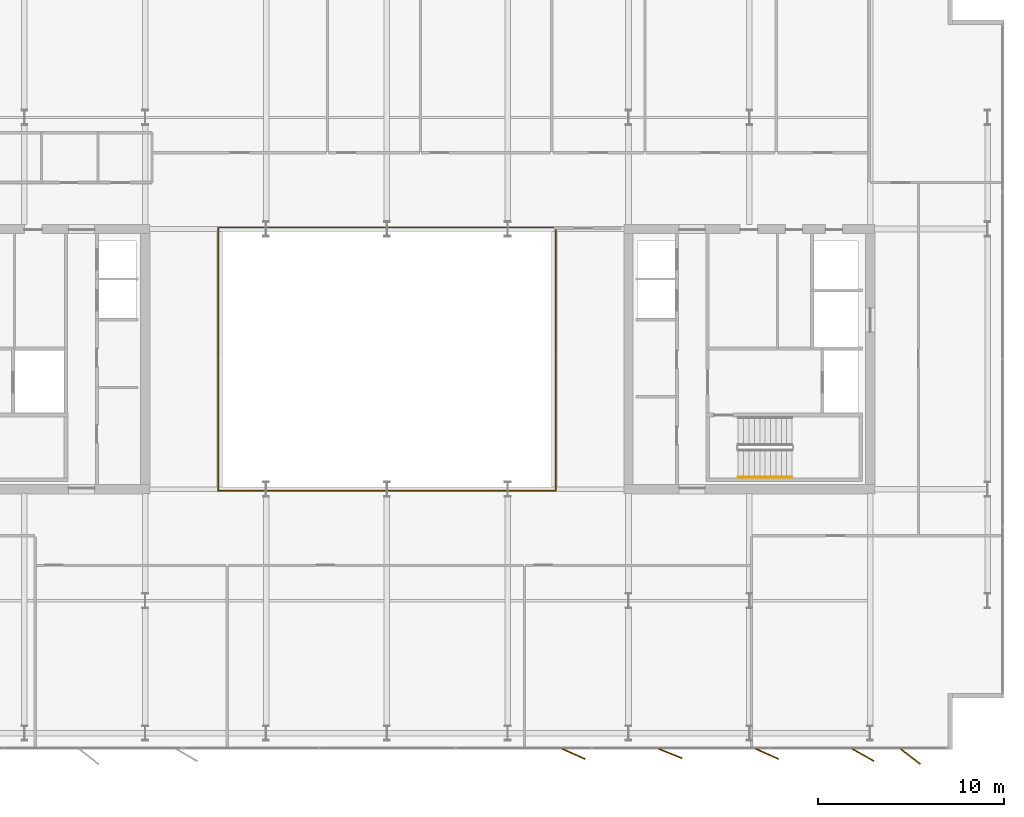
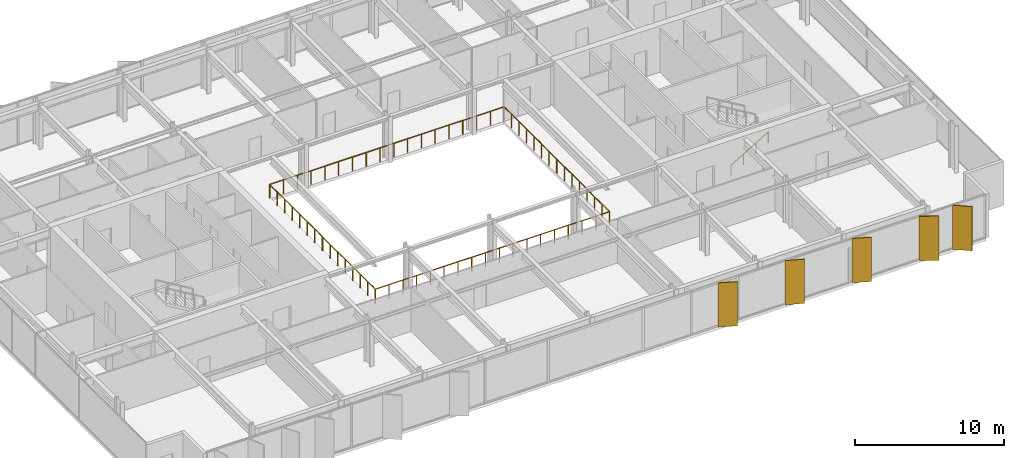
# One storey, part 21 of 23: 5 shading devices, 3 railings.
"""IFC4 building model written with IfcOpenShell, lengths in metres."""

from ifc_helpers import new_model, si_unit, direction, frame, origin, origin_2d, place, context, subcontext, project, spatial, rectangle, circle, extrude, material, layer, layer_set, type_object, element, save


model = new_model("IFC4")

# Units and contexts
model_context = context("Model", 3, precision=1e-05, world=origin(), true_north=direction((0.0, 1.0)))
body_context = subcontext(model_context, "Body", "Model", "MODEL_VIEW")
ifc_project = project(units=[si_unit("LENGTHUNIT", "METRE"), si_unit("AREAUNIT", "SQUARE_METRE"), si_unit("VOLUMEUNIT", "CUBIC_METRE"), si_unit("PLANEANGLEUNIT", "RADIAN"), si_unit("MASSUNIT", "GRAM", prefix="KILO")], contexts=[model_context])

# Site, building, storey
site_placement = place(None, origin())
site = spatial("IfcSite", under=ifc_project, at=site_placement, CompositionType="ELEMENT")
building_placement = place(site_placement, origin())
building = spatial("IfcBuilding", under=site, at=building_placement, Name="Putna Gate Headquarters", CompositionType="ELEMENT")
storey_placement = place(building_placement, frame((0.0, 0.0, 232.800048828125)))
storey = spatial("IfcBuildingStorey", under=building, at=storey_placement, Name="L58", CompositionType="ELEMENT", Elevation=232.800048828125)

# Railings
ifc_material_1 = material(Name="Anodised bronze and laminated glass atrium balustrade", Category="glass")
railing_type_1 = type_object("IfcRailingType", Name="RAIL-ATRIUM-GUARD-1150", PredefinedType="GUARDRAIL", material=ifc_material_1)
railing_1_placement = place(storey_placement, frame((29.919921875, 25.969970703125, 0.0)))
element("IfcRailing", 1, at=railing_1_placement, inside=storey, type_object=railing_type_1, Name="L58 Central Atrium Glazed Balustrade South", PredefinedType="GUARDRAIL", context=body_context, shape_type="SweptSolid", body=[
    extrude(circle(Radius=0.02392578125, at=origin_2d()), frame((0.0, 0.0, 1.1259765625), z_axis=(0.0, -1.0, 0.0), x_axis=(1.0, 0.0, 0.0)), (0.0, 0.0, 1.0), 7.050048828125),
    extrude(circle(Radius=0.02392578125, at=origin_2d()), frame((0.0, -7.050048828125, 1.1259765625), z_axis=(1.0, 0.0, 0.0), x_axis=(0.0, 1.0, 0.0)), (0.0, 0.0, 1.0), 18.16015625),
    extrude(circle(Radius=0.02392578125, at=origin_2d()), frame((18.16015625, -7.050048828125, 1.1259765625), z_axis=(0.0, 1.0, 0.0), x_axis=(-1.0, 0.0, 0.0)), (0.0, 0.0, 1.0), 7.050048828125),
    extrude(circle(Radius=0.02099609375, at=origin_2d()), origin(), (0.0, 0.0, 1.0), 1.101806640625),
    extrude(circle(Radius=0.02099609375, at=origin_2d()), frame((0.0, -1.007080078125, 0.0)), (0.0, 0.0, 1.0), 1.101806640625),
    extrude(circle(Radius=0.02099609375, at=origin_2d()), frame((0.0, -2.014404296875, 0.0)), (0.0, 0.0, 1.0), 1.101806640625),
    extrude(circle(Radius=0.02099609375, at=origin_2d()), frame((0.0, -3.021484375, 0.0)), (0.0, 0.0, 1.0), 1.101806640625),
    extrude(circle(Radius=0.02099609375, at=origin_2d()), frame((0.0, -4.028564453125, 0.0)), (0.0, 0.0, 1.0), 1.101806640625),
    extrude(circle(Radius=0.02099609375, at=origin_2d()), frame((0.0, -5.03564453125, 0.0)), (0.0, 0.0, 1.0), 1.101806640625),
    extrude(circle(Radius=0.02099609375, at=origin_2d()), frame((0.0, -6.04296875, 0.0)), (0.0, 0.0, 1.0), 1.101806640625),
    extrude(circle(Radius=0.02099609375, at=origin_2d()), frame((0.0, -7.050048828125, 0.0)), (0.0, 0.0, 1.0), 1.101806640625),
    extrude(circle(Radius=0.02099609375, at=origin_2d()), frame((1.068359375, -7.050048828125, 0.0)), (0.0, 0.0, 1.0), 1.101806640625),
    extrude(circle(Radius=0.02099609375, at=origin_2d()), frame((2.136474609375, -7.050048828125, 0.0)), (0.0, 0.0, 1.0), 1.101806640625),
    extrude(circle(Radius=0.02099609375, at=origin_2d()), frame((3.204833984375, -7.050048828125, 0.0)), (0.0, 0.0, 1.0), 1.101806640625),
    extrude(circle(Radius=0.02099609375, at=origin_2d()), frame((4.27294921875, -7.050048828125, 0.0)), (0.0, 0.0, 1.0), 1.101806640625),
    extrude(circle(Radius=0.02099609375, at=origin_2d()), frame((5.34130859375, -7.050048828125, 0.0)), (0.0, 0.0, 1.0), 1.101806640625),
    extrude(circle(Radius=0.02099609375, at=origin_2d()), frame((6.409423828125, -7.050048828125, 0.0)), (0.0, 0.0, 1.0), 1.101806640625),
    extrude(circle(Radius=0.02099609375, at=origin_2d()), frame((7.477783203125, -7.050048828125, 0.0)), (0.0, 0.0, 1.0), 1.101806640625),
    extrude(circle(Radius=0.02099609375, at=origin_2d()), frame((8.5458984375, -7.050048828125, 0.0)), (0.0, 0.0, 1.0), 1.101806640625),
    extrude(circle(Radius=0.02099609375, at=origin_2d()), frame((9.6142578125, -7.050048828125, 0.0)), (0.0, 0.0, 1.0), 1.101806640625),
    extrude(circle(Radius=0.02099609375, at=origin_2d()), frame((10.682373046875, -7.050048828125, 0.0)), (0.0, 0.0, 1.0), 1.101806640625),
    extrude(circle(Radius=0.02099609375, at=origin_2d()), frame((11.750732421875, -7.050048828125, 0.0)), (0.0, 0.0, 1.0), 1.101806640625),
    extrude(circle(Radius=0.02099609375, at=origin_2d()), frame((12.81884765625, -7.050048828125, 0.0)), (0.0, 0.0, 1.0), 1.101806640625),
    extrude(circle(Radius=0.02099609375, at=origin_2d()), frame((13.88720703125, -7.050048828125, 0.0)), (0.0, 0.0, 1.0), 1.101806640625),
    extrude(circle(Radius=0.02099609375, at=origin_2d()), frame((14.955322265625, -7.050048828125, 0.0)), (0.0, 0.0, 1.0), 1.101806640625),
    extrude(circle(Radius=0.02099609375, at=origin_2d()), frame((16.023681640625, -7.050048828125, 0.0)), (0.0, 0.0, 1.0), 1.101806640625),
    extrude(circle(Radius=0.02099609375, at=origin_2d()), frame((17.091796875, -7.050048828125, 0.0)), (0.0, 0.0, 1.0), 1.101806640625),
    extrude(circle(Radius=0.02099609375, at=origin_2d()), frame((18.16015625, -7.050048828125, 0.0)), (0.0, 0.0, 1.0), 1.101806640625),
    extrude(circle(Radius=0.02099609375, at=origin_2d()), frame((18.16015625, -6.04296875, 0.0)), (0.0, 0.0, 1.0), 1.101806640625),
    extrude(circle(Radius=0.02099609375, at=origin_2d()), frame((18.16015625, -5.03564453125, 0.0)), (0.0, 0.0, 1.0), 1.101806640625),
    extrude(circle(Radius=0.02099609375, at=origin_2d()), frame((18.16015625, -4.028564453125, 0.0)), (0.0, 0.0, 1.0), 1.101806640625),
    extrude(circle(Radius=0.02099609375, at=origin_2d()), frame((18.16015625, -3.021484375, 0.0)), (0.0, 0.0, 1.0), 1.101806640625),
    extrude(circle(Radius=0.02099609375, at=origin_2d()), frame((18.16015625, -2.014404296875, 0.0)), (0.0, 0.0, 1.0), 1.101806640625),
    extrude(circle(Radius=0.02099609375, at=origin_2d()), frame((18.16015625, -1.007080078125, 0.0)), (0.0, 0.0, 1.0), 1.101806640625),
    extrude(circle(Radius=0.02099609375, at=origin_2d()), frame((18.16015625, 0.0, 0.0)), (0.0, 0.0, 1.0), 1.101806640625),
])
railing_2_placement = place(storey_placement, frame((48.080078125, 26.030029296875, 0.0)))
element("IfcRailing", 2, at=railing_2_placement, inside=storey, type_object=railing_type_1, Name="L58 Central Atrium Glazed Balustrade North", PredefinedType="GUARDRAIL", context=body_context, shape_type="SweptSolid", body=[
    extrude(circle(Radius=0.02392578125, at=origin_2d()), frame((0.0, 0.0, 1.1259765625), z_axis=(0.0, 1.0, 0.0), x_axis=(-1.0, 0.0, 0.0)), (0.0, 0.0, 1.0), 7.050048828125),
    extrude(circle(Radius=0.02392578125, at=origin_2d()), frame((0.0, 7.050048828125, 1.1259765625), z_axis=(-1.0, 0.0, 0.0), x_axis=(0.0, -1.0, 0.0)), (0.0, 0.0, 1.0), 18.16015625),
    extrude(circle(Radius=0.02392578125, at=origin_2d()), frame((-18.16015625, 7.050048828125, 1.1259765625), z_axis=(0.0, -1.0, 0.0), x_axis=(1.0, 0.0, 0.0)), (0.0, 0.0, 1.0), 7.050048828125),
    extrude(circle(Radius=0.02099609375, at=origin_2d()), origin(), (0.0, 0.0, 1.0), 1.101806640625),
    extrude(circle(Radius=0.02099609375, at=origin_2d()), frame((0.0, 1.007080078125, 0.0)), (0.0, 0.0, 1.0), 1.101806640625),
    extrude(circle(Radius=0.02099609375, at=origin_2d()), frame((0.0, 2.014404296875, 0.0)), (0.0, 0.0, 1.0), 1.101806640625),
    extrude(circle(Radius=0.02099609375, at=origin_2d()), frame((0.0, 3.021484375, 0.0)), (0.0, 0.0, 1.0), 1.101806640625),
    extrude(circle(Radius=0.02099609375, at=origin_2d()), frame((0.0, 4.028564453125, 0.0)), (0.0, 0.0, 1.0), 1.101806640625),
    extrude(circle(Radius=0.02099609375, at=origin_2d()), frame((0.0, 5.03564453125, 0.0)), (0.0, 0.0, 1.0), 1.101806640625),
    extrude(circle(Radius=0.02099609375, at=origin_2d()), frame((0.0, 6.04296875, 0.0)), (0.0, 0.0, 1.0), 1.101806640625),
    extrude(circle(Radius=0.02099609375, at=origin_2d()), frame((0.0, 7.050048828125, 0.0)), (0.0, 0.0, 1.0), 1.101806640625),
    extrude(circle(Radius=0.02099609375, at=origin_2d()), frame((-1.068359375, 7.050048828125, 0.0)), (0.0, 0.0, 1.0), 1.101806640625),
    extrude(circle(Radius=0.02099609375, at=origin_2d()), frame((-2.136474609375, 7.050048828125, 0.0)), (0.0, 0.0, 1.0), 1.101806640625),
    extrude(circle(Radius=0.02099609375, at=origin_2d()), frame((-3.204833984375, 7.050048828125, 0.0)), (0.0, 0.0, 1.0), 1.101806640625),
    extrude(circle(Radius=0.02099609375, at=origin_2d()), frame((-4.27294921875, 7.050048828125, 0.0)), (0.0, 0.0, 1.0), 1.101806640625),
    extrude(circle(Radius=0.02099609375, at=origin_2d()), frame((-5.34130859375, 7.050048828125, 0.0)), (0.0, 0.0, 1.0), 1.101806640625),
    extrude(circle(Radius=0.02099609375, at=origin_2d()), frame((-6.409423828125, 7.050048828125, 0.0)), (0.0, 0.0, 1.0), 1.101806640625),
    extrude(circle(Radius=0.02099609375, at=origin_2d()), frame((-7.477783203125, 7.050048828125, 0.0)), (0.0, 0.0, 1.0), 1.101806640625),
    extrude(circle(Radius=0.02099609375, at=origin_2d()), frame((-8.5458984375, 7.050048828125, 0.0)), (0.0, 0.0, 1.0), 1.101806640625),
    extrude(circle(Radius=0.02099609375, at=origin_2d()), frame((-9.6142578125, 7.050048828125, 0.0)), (0.0, 0.0, 1.0), 1.101806640625),
    extrude(circle(Radius=0.02099609375, at=origin_2d()), frame((-10.682373046875, 7.050048828125, 0.0)), (0.0, 0.0, 1.0), 1.101806640625),
    extrude(circle(Radius=0.02099609375, at=origin_2d()), frame((-11.750732421875, 7.050048828125, 0.0)), (0.0, 0.0, 1.0), 1.101806640625),
    extrude(circle(Radius=0.02099609375, at=origin_2d()), frame((-12.81884765625, 7.050048828125, 0.0)), (0.0, 0.0, 1.0), 1.101806640625),
    extrude(circle(Radius=0.02099609375, at=origin_2d()), frame((-13.88720703125, 7.050048828125, 0.0)), (0.0, 0.0, 1.0), 1.101806640625),
    extrude(circle(Radius=0.02099609375, at=origin_2d()), frame((-14.955322265625, 7.050048828125, 0.0)), (0.0, 0.0, 1.0), 1.101806640625),
    extrude(circle(Radius=0.02099609375, at=origin_2d()), frame((-16.023681640625, 7.050048828125, 0.0)), (0.0, 0.0, 1.0), 1.101806640625),
    extrude(circle(Radius=0.02099609375, at=origin_2d()), frame((-17.091796875, 7.050048828125, 0.0)), (0.0, 0.0, 1.0), 1.101806640625),
    extrude(circle(Radius=0.02099609375, at=origin_2d()), frame((-18.16015625, 7.050048828125, 0.0)), (0.0, 0.0, 1.0), 1.101806640625),
    extrude(circle(Radius=0.02099609375, at=origin_2d()), frame((-18.16015625, 6.04296875, 0.0)), (0.0, 0.0, 1.0), 1.101806640625),
    extrude(circle(Radius=0.02099609375, at=origin_2d()), frame((-18.16015625, 5.03564453125, 0.0)), (0.0, 0.0, 1.0), 1.101806640625),
    extrude(circle(Radius=0.02099609375, at=origin_2d()), frame((-18.16015625, 4.028564453125, 0.0)), (0.0, 0.0, 1.0), 1.101806640625),
    extrude(circle(Radius=0.02099609375, at=origin_2d()), frame((-18.16015625, 3.021484375, 0.0)), (0.0, 0.0, 1.0), 1.101806640625),
    extrude(circle(Radius=0.02099609375, at=origin_2d()), frame((-18.16015625, 2.014404296875, 0.0)), (0.0, 0.0, 1.0), 1.101806640625),
    extrude(circle(Radius=0.02099609375, at=origin_2d()), frame((-18.16015625, 1.007080078125, 0.0)), (0.0, 0.0, 1.0), 1.101806640625),
    extrude(circle(Radius=0.02099609375, at=origin_2d()), frame((-18.16015625, 0.0, 0.0)), (0.0, 0.0, 1.0), 1.101806640625),
])
ifc_material_2 = material(Name="Brushed stainless steel handrail", Category="steel")
railing_type_2 = type_object("IfcRailingType", Name="RAIL-STAIR-HAND-900", PredefinedType="HANDRAIL", material=ifc_material_2)
railing_3_placement = place(storey_placement, frame((57.89990234375, 19.64990234375, 0.172607421875)))
element("IfcRailing", 3, at=railing_3_placement, inside=storey, type_object=railing_type_2, Name="L58 ST2 stair handrail 1", PredefinedType="HANDRAIL", context=body_context, shape_type="SweptSolid", body=[
    extrude(circle(Radius=0.02392578125, at=origin_2d()), frame((0.0, 0.0, 0.8759765625), z_axis=(0.859160404282, 0.0, 0.51170636083), x_axis=(0.0, 1.0, 0.0)), (0.0, 0.0, 1.0), 3.37548828125),
    extrude(circle(Radius=0.02099609375, at=origin_2d()), origin(), (0.0, 0.0, 1.0), 0.851806640625),
    extrude(circle(Radius=0.02099609375, at=origin_2d()), frame((0.966796875, 0.0, 0.57568359375)), (0.0, 0.0, 1.0), 0.851806640625),
    extrude(circle(Radius=0.02099609375, at=origin_2d()), frame((1.933349609375, 0.0, 1.151611328125)), (0.0, 0.0, 1.0), 0.851806640625),
    extrude(circle(Radius=0.02099609375, at=origin_2d()), frame((2.900146484375, 0.0, 1.727294921875)), (0.0, 0.0, 1.0), 0.851806640625),
])

# Shading devices
ifc_material_3 = material(Name="Anodised architectural bronze aluminium fin", Category="aluminium")
ifc_layer = layer(ifc_material_3, 0.06494140625)
ifc_layer_set = layer_set([ifc_layer], Name="Anodised architectural bronze aluminium fin")
shading_device_type = type_object("IfcShadingDeviceType", Name="SHADE-BRONZE-FIN-1320", PredefinedType="USERDEFINED", material=ifc_layer_set)
for number, where, z_axis, x_axis, name in (
    (4, (49.052978515625, 4.7568359375, -0.02001953125), (0.0, 0.0, 1.0), (0.913687379856, -0.40641773078, 0.0), "L58 Bronze Vertical Shading Fin S7"),
    (5, (54.261962890625, 4.77783203125, -0.02001953125), (0.0, 0.0, 1.0), (0.927183854567, -0.374606593416, 0.0), "L58 Bronze Vertical Shading Fin S8"),
    (6, (59.452880859375, 4.7568359375, -0.02001953125), (0.0, 0.0, 1.0), (0.913687379856, -0.40641773078, 0.0), "L58 Bronze Vertical Shading Fin S9"),
    (7, (64.623779296875, 4.69873046875, -0.02001953125), (0.0, 0.0, 1.0), (0.869322458298, -0.494245347472, 0.0), "L58 Bronze Vertical Shading Fin S10"),
    (8, (67.169677734375, 4.6181640625, -0.02001953125), (0.0, 0.0, 1.0), (0.787473187632, -0.616348909921, 0.0), "L58 Bronze Vertical Shading Fin S11"),
):
    element("IfcShadingDevice", number, at=place(storey_placement, frame(where, z_axis=z_axis, x_axis=x_axis)), inside=storey, type_object=shading_device_type, Name=name, ObjectType="FIN", PredefinedType="USERDEFINED", context=body_context, shape_type="SweptSolid", body=[
        extrude(rectangle(XDim=1.320068359375, YDim=0.06494140625, at=origin_2d()), origin(), (0.0, 0.0, 1.0), 3.6201171875),
    ])

save(model, "model.ifc")
